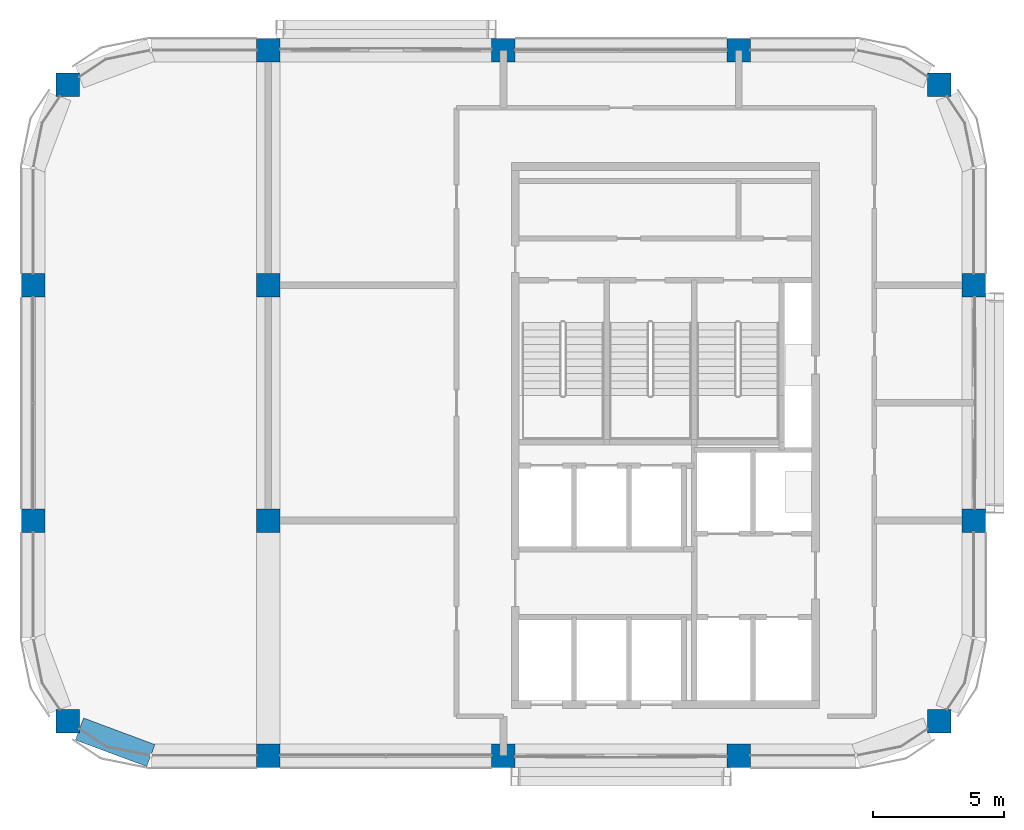
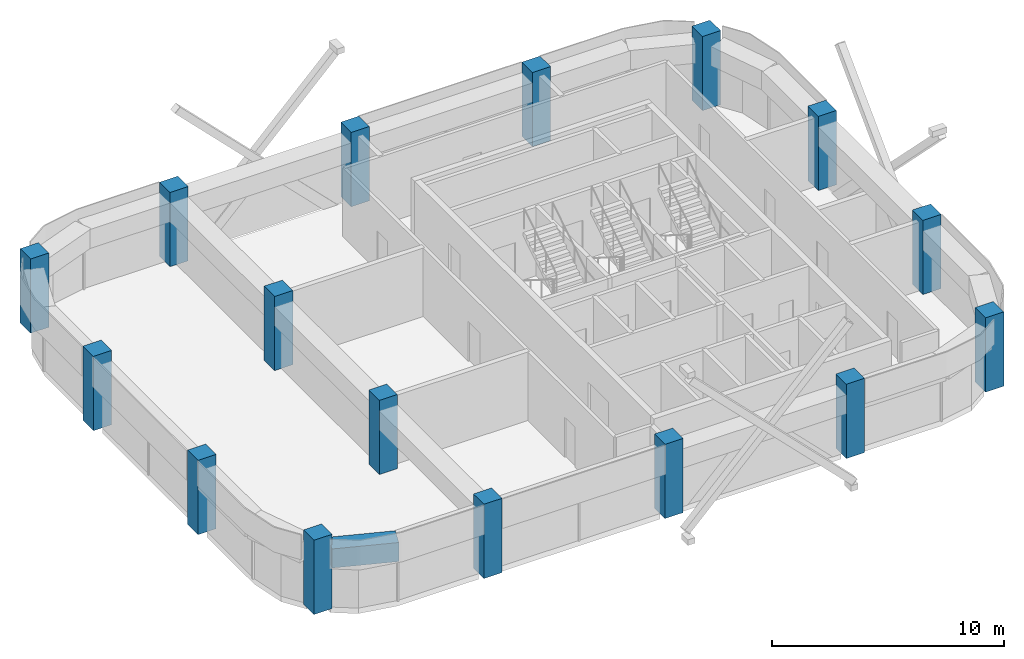
# One storey, part 1 of 9: 16 columns, 1 beam.
"""IFC4 building model written with IfcOpenShell, lengths in metres."""

from ifc_helpers import new_model, si_unit, direction, frame, origin, origin_2d, place, context, subcontext, project, spatial, rectangle, extrude, material, material_profile, profile_set, type_object, element, save


model = new_model("IFC4")

# Units and contexts
model_context = context("Model", 3, precision=1e-05, world=origin(), true_north=direction((0.0, 1.0)))
body_context = subcontext(model_context, "Body", "Model", "MODEL_VIEW")
ifc_project = project(units=[si_unit("LENGTHUNIT", "METRE"), si_unit("AREAUNIT", "SQUARE_METRE"), si_unit("VOLUMEUNIT", "CUBIC_METRE"), si_unit("PLANEANGLEUNIT", "RADIAN"), si_unit("MASSUNIT", "GRAM", prefix="KILO")], contexts=[model_context])

# Site, building, storey
site_placement = place(None, origin())
site = spatial("IfcSite", under=ifc_project, at=site_placement, CompositionType="ELEMENT")
building_placement = place(site_placement, origin())
building = spatial("IfcBuilding", under=site, at=building_placement, Name="Tessera Arch", CompositionType="ELEMENT")
storey_placement = place(building_placement, frame((0.0, 0.0, 316.800048828125)))
storey = spatial("IfcBuildingStorey", under=building, at=storey_placement, Name="L76", CompositionType="ELEMENT", Elevation=316.800048828125)

# Columns
ifc_material_1 = material(Name="Concrete C50/60", Category="concrete")
ifc_material_profile_1 = material_profile(ifc_material_1, rectangle(XDim=0.89990234375, YDim=0.89990234375, at=origin_2d()), Name="RC column 900 x 900 Concrete C50/60")
ifc_profile_set_1 = profile_set([ifc_material_profile_1], Name="Concrete C50/60")
column_type = type_object("IfcColumnType", Name="RC column 900 x 900 Concrete C50/60", PredefinedType="COLUMN", material=ifc_profile_set_1)
for number, where, z_axis, x_axis, name in (
    (1, (19.318115234375, 28.318115234375, 0.0), (0.0, 0.0, 1.0), (1.0, 0.0, 0.0), "Column C3D L76"),
    (2, (18.0, 36.0, 0.0), (0.0, 0.0, 1.0), (1.0, 0.0, 0.0), "Column C3E L76"),
    (3, (18.0, 45.0, 0.0), (0.0, 0.0, 1.0), (1.0, 0.0, 0.0), "Column C3F L76"),
    (4, (19.318115234375, 52.681884765625, 0.0), (0.0, 0.0, 1.0), (1.0, 0.0, 0.0), "Column C3G L76"),
    (5, (27.0, 27.0, 0.0), (0.0, 0.0, 1.0), (1.0, 0.0, 0.0), "Column C4D L76"),
    (6, (27.0, 36.0, 0.0), (0.0, 0.0, 1.0), (1.0, 0.0, 0.0), "Column C4E L76"),
    (7, (27.0, 45.0, 0.0), (0.0, 0.0, 1.0), (1.0, 0.0, 0.0), "Column C4F L76"),
    (8, (27.0, 54.0, 0.0), (0.0, 0.0, 1.0), (1.0, 0.0, 0.0), "Column C4G L76"),
    (9, (36.0, 27.0, 0.0), (0.0, 0.0, 1.0), (1.0, 0.0, 0.0), "Column C5D L76"),
    (10, (36.0, 54.0, 0.0), (0.0, 0.0, 1.0), (1.0, 0.0, 0.0), "Column C5G L76"),
    (11, (45.0, 27.0, 0.0), (0.0, 0.0, 1.0), (1.0, 0.0, 0.0), "Column C6D L76"),
    (12, (45.0, 54.0, 0.0), (0.0, 0.0, 1.0), (1.0, 0.0, 0.0), "Column C6G L76"),
    (13, (52.681884765625, 28.318115234375, 0.0), (0.0, 0.0, 1.0), (1.0, 0.0, 0.0), "Column C7D L76"),
    (14, (54.0, 36.0, 0.0), (0.0, 0.0, 1.0), (1.0, 0.0, 0.0), "Column C7E L76"),
    (15, (54.0, 45.0, 0.0), (0.0, 0.0, 1.0), (1.0, 0.0, 0.0), "Column C7F L76"),
    (16, (52.681884765625, 52.681884765625, 0.0), (0.0, 0.0, 1.0), (1.0, 0.0, 0.0), "Column C7G L76"),
):
    element("IfcColumn", number, at=place(storey_placement, frame(where, z_axis=z_axis, x_axis=x_axis)), inside=storey, type_object=column_type, Name=name, PredefinedType="COLUMN", context=body_context, shape_type="SweptSolid", body=[
        extrude(rectangle(XDim=0.89990234375, YDim=0.89990234375, at=origin_2d()), origin(), (0.0, 0.0, 1.0), 3.89990234375),
    ])

# Beam
ifc_material_2 = material(Name="Concrete C50/60", Category="concrete")
ifc_material_profile_2 = material_profile(ifc_material_2, rectangle(XDim=0.89990234375, YDim=1.0, at=origin_2d()), Name="RC spandrel beam 900 x 1000 Concrete C50/60")
ifc_profile_set_2 = profile_set([ifc_material_profile_2], Name="Concrete C50/60")
beam_type = type_object("IfcBeamType", Name="RC spandrel beam 900 x 1000 Concrete C50/60", PredefinedType="BEAM", material=ifc_profile_set_2)
beam_placement = place(storey_placement, frame((19.76806640625, 28.017333984375, 2.849853515625), z_axis=(0.937132065211, -0.348974916509, 0.0), x_axis=(0.348974916509, 0.937132065211, 0.0)))
element("IfcBeam", 17, at=beam_placement, inside=storey, type_object=beam_type, Name="Spandrel beam L76 S27.18/0.1", PredefinedType="BEAM", context=body_context, shape_type="SweptSolid", body=[
    extrude(rectangle(XDim=0.89990234375, YDim=1.0, at=origin_2d()), origin(), (0.0, 0.0, 1.0), 2.915283203125),
])

save(model, "model.ifc")
